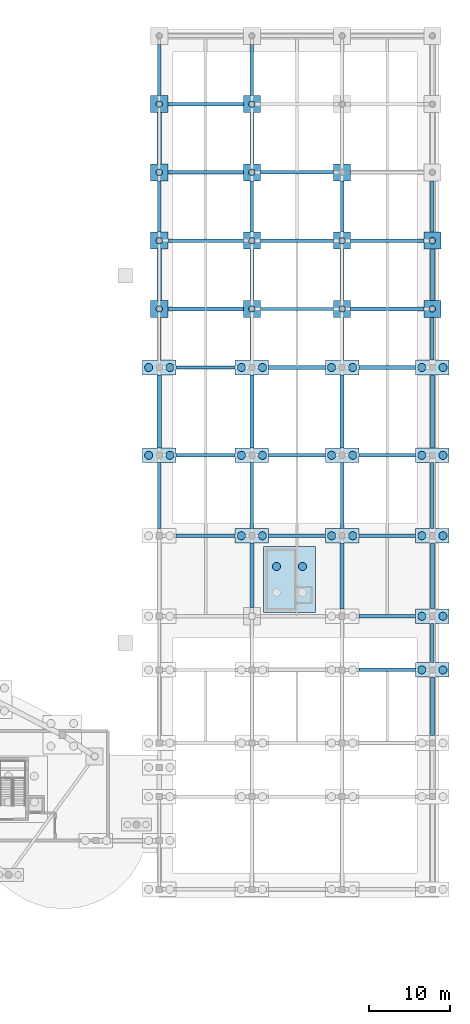
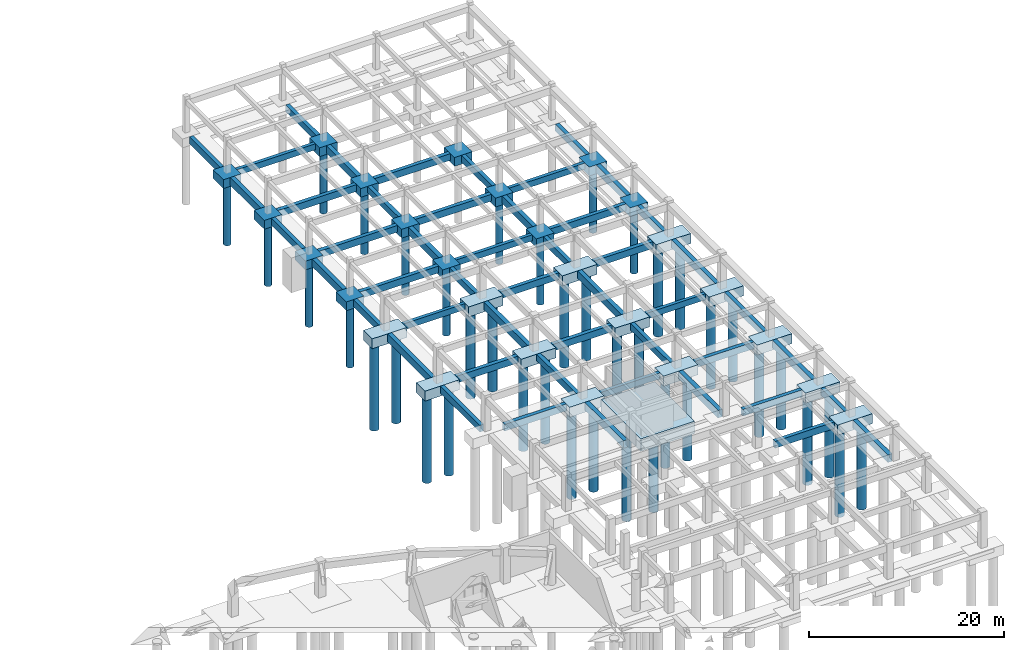
# One storey, part 6 of 28: 76 footings, 40 piles.
"""IFC4 building model written with IfcOpenShell, lengths in metres."""

from ifc_helpers import new_model, si_unit, direction, frame, origin, origin_2d, place, context, subcontext, project, spatial, rectangle, circle, extrude, material, layer, layer_set, material_profile, profile_set, type_object, element, save


model = new_model("IFC4")

# Units and contexts
model_context = context("Model", 3, precision=1e-05, world=origin(), true_north=direction((0.0, 1.0)))
body_context = subcontext(model_context, "Body", "Model", "MODEL_VIEW")
ifc_project = project(units=[si_unit("LENGTHUNIT", "METRE"), si_unit("AREAUNIT", "SQUARE_METRE"), si_unit("VOLUMEUNIT", "CUBIC_METRE"), si_unit("PLANEANGLEUNIT", "RADIAN"), si_unit("MASSUNIT", "GRAM", prefix="KILO")], contexts=[model_context])

# Site, building, storey
site_placement = place(None, origin())
site = spatial("IfcSite", under=ifc_project, at=site_placement, CompositionType="ELEMENT")
building_placement = place(site_placement, origin())
building = spatial("IfcBuilding", under=site, at=building_placement, Name="Miralva Faculty of Natural Sciences", CompositionType="ELEMENT")
storey_placement = place(building_placement, frame((0.0, 0.0, -4.5)))
storey = spatial("IfcBuildingStorey", under=building, at=storey_placement, Name="B1", CompositionType="ELEMENT", Elevation=-4.5)

# Footings
ifc_material_1 = material(Name="Concrete C35/45", Category="concrete")
ifc_layer_1 = layer(ifc_material_1, 1.10009765625, Name="CAP-PC01")
ifc_layer_set_1 = layer_set([ifc_layer_1], Name="Concrete C35/45")
footing_type_1 = type_object("IfcFootingType", Name="CAP-PC01", PredefinedType="PILE_CAP", material=ifc_layer_set_1)
for number, where, z_axis, x_axis, name in (
    (1, (133.800048828125, 83.39990234375, -1.10009765625), (0.0, 0.0, 1.0), (1.0, 0.0, 0.0), "Pile cap CS-V2B-16J"),
    (2, (133.800048828125, 91.800048828125, -1.10009765625), (0.0, 0.0, 1.0), (1.0, 0.0, 0.0), "Pile cap CS-V2B-16K"),
    (3, (133.800048828125, 100.199951171875, -1.10009765625), (0.0, 0.0, 1.0), (1.0, 0.0, 0.0), "Pile cap CS-V2B-16L"),
    (4, (133.800048828125, 108.60009765625, -1.10009765625), (0.0, 0.0, 1.0), (1.0, 0.0, 0.0), "Pile cap CS-V2B-16M"),
    (5, (145.199951171875, 83.39990234375, -1.10009765625), (0.0, 0.0, 1.0), (1.0, 0.0, 0.0), "Pile cap CS-V2B-17J"),
    (6, (145.199951171875, 91.800048828125, -1.10009765625), (0.0, 0.0, 1.0), (1.0, 0.0, 0.0), "Pile cap CS-V2B-17K"),
    (7, (145.199951171875, 100.199951171875, -1.10009765625), (0.0, 0.0, 1.0), (1.0, 0.0, 0.0), "Pile cap CS-V2B-17L"),
    (8, (145.199951171875, 108.60009765625, -1.10009765625), (0.0, 0.0, 1.0), (1.0, 0.0, 0.0), "Pile cap CS-V2B-17M"),
    (9, (156.300048828125, 83.39990234375, -1.10009765625), (0.0, 0.0, 1.0), (1.0, 0.0, 0.0), "Pile cap CS-V2B-18J"),
    (10, (156.300048828125, 91.800048828125, -1.10009765625), (0.0, 0.0, 1.0), (1.0, 0.0, 0.0), "Pile cap CS-V2B-18K"),
    (11, (156.300048828125, 100.199951171875, -1.10009765625), (0.0, 0.0, 1.0), (1.0, 0.0, 0.0), "Pile cap CS-V2B-18L"),
    (12, (167.39990234375, 83.39990234375, -1.10009765625), (0.0, 0.0, 1.0), (1.0, 0.0, 0.0), "Pile cap CS-V2B-19J"),
    (13, (167.39990234375, 91.800048828125, -1.10009765625), (0.0, 0.0, 1.0), (1.0, 0.0, 0.0), "Pile cap CS-V2B-19K"),
):
    element("IfcFooting", number, at=place(storey_placement, frame(where, z_axis=z_axis, x_axis=x_axis)), inside=storey, type_object=footing_type_1, Name=name, PredefinedType="PILE_CAP", context=body_context, shape_type="SweptSolid", body=[
        extrude(rectangle(XDim=2.10009765625, YDim=2.10009765625, at=origin_2d()), origin(), (0.0, 0.0, 1.0), 1.10009765625),
    ])
ifc_layer_2 = layer(ifc_material_1, 1.25, Name="CAP-PC04")
ifc_layer_set_2 = layer_set([ifc_layer_2], Name="Concrete C35/45")
footing_type_2 = type_object("IfcFootingType", Name="CAP-PC04", PredefinedType="PILE_CAP", material=ifc_layer_set_2)
for number, where, z_axis, x_axis, name in (
    (14, (133.800048828125, 65.39990234375, -1.25), (0.0, 0.0, 1.0), (1.0, 0.0, 0.0), "Pile cap CS-V2C-16H"),
    (15, (133.800048828125, 76.199951171875, -1.25), (0.0, 0.0, 1.0), (1.0, 0.0, 0.0), "Pile cap CS-V2C-16I"),
    (16, (145.199951171875, 55.5, -1.25), (0.0, 0.0, 1.0), (1.0, 0.0, 0.0), "Pile cap CS-V2C-17G"),
    (17, (145.199951171875, 65.39990234375, -1.25), (0.0, 0.0, 1.0), (1.0, 0.0, 0.0), "Pile cap CS-V2C-17H"),
    (18, (145.199951171875, 76.199951171875, -1.25), (0.0, 0.0, 1.0), (1.0, 0.0, 0.0), "Pile cap CS-V2C-17I"),
    (19, (156.300048828125, 55.5, -1.25), (0.0, 0.0, 1.0), (1.0, 0.0, 0.0), "Pile cap CS-V2C-18G"),
    (20, (156.300048828125, 65.39990234375, -1.25), (0.0, 0.0, 1.0), (1.0, 0.0, 0.0), "Pile cap CS-V2C-18H"),
    (21, (156.300048828125, 76.199951171875, -1.25), (0.0, 0.0, 1.0), (1.0, 0.0, 0.0), "Pile cap CS-V2C-18I"),
    (22, (167.39990234375, 39.0, -1.25), (0.0, 0.0, 1.0), (1.0, 0.0, 0.0), "Pile cap CS-V2C-19E"),
    (23, (167.39990234375, 45.60009765625, -1.25), (0.0, 0.0, 1.0), (1.0, 0.0, 0.0), "Pile cap CS-V2C-19F"),
    (24, (167.39990234375, 55.5, -1.25), (0.0, 0.0, 1.0), (1.0, 0.0, 0.0), "Pile cap CS-V2C-19G"),
    (25, (167.39990234375, 65.39990234375, -1.25), (0.0, 0.0, 1.0), (1.0, 0.0, 0.0), "Pile cap CS-V2C-19H"),
    (26, (167.39990234375, 76.199951171875, -1.25), (0.0, 0.0, 1.0), (1.0, 0.0, 0.0), "Pile cap CS-V2C-19I"),
):
    element("IfcFooting", number, at=place(storey_placement, frame(where, z_axis=z_axis, x_axis=x_axis)), inside=storey, type_object=footing_type_2, Name=name, PredefinedType="PILE_CAP", context=body_context, shape_type="SweptSolid", body=[
        extrude(rectangle(XDim=4.10009765625, YDim=1.800048828125, at=origin_2d()), origin(), (0.0, 0.0, 1.0), 1.25),
    ])
ifc_material_2 = material(Name="Concrete C40/50", Category="concrete")
ifc_layer_3 = layer(ifc_material_2, 1.550048828125, Name="CAP-PC08-C4")
ifc_layer_set_3 = layer_set([ifc_layer_3], Name="Concrete C40/50")
footing_type_3 = type_object("IfcFootingType", Name="CAP-PC08-C4", PredefinedType="PILE_CAP", material=ifc_layer_set_3)
footing_1_placement = place(storey_placement, frame((149.824951171875, 50.125, -1.5498046875), z_axis=(0.0, 0.0, 1.0), x_axis=(1.0, 0.0, 0.0)))
element("IfcFooting", 27, at=footing_1_placement, inside=storey, type_object=footing_type_3, Name="Core C4 pile cap", PredefinedType="PILE_CAP", context=body_context, shape_type="SweptSolid", body=[
    extrude(rectangle(XDim=6.35009765625, YDim=8.14990234375, at=origin_2d()), origin(), (0.0, 0.0, 1.0), 1.550048828125),
])

# Piles
ifc_material_profile_1 = material_profile(ifc_material_1, circle(Radius=0.5, at=origin_2d()), Name="BORED PILE 1000")
ifc_profile_set_1 = profile_set([ifc_material_profile_1], Name="Concrete C35/45")
pile_type_1 = type_object("IfcPileType", Name="PILE-P1000", PredefinedType="BORED", material=ifc_profile_set_1)
for number, where, z_axis, x_axis, name in (
    (28, (148.22509765625, 51.72509765625, -1.39990234375), (0.0, 0.0, -1.0), (1.0, 0.0, 0.0), "Core C4 bored pile 3"),
    (29, (151.425048828125, 51.72509765625, -1.39990234375), (0.0, 0.0, -1.0), (1.0, 0.0, 0.0), "Core C4 bored pile 4"),
):
    element("IfcPile", number, at=place(storey_placement, frame(where, z_axis=z_axis, x_axis=x_axis)), inside=storey, type_object=pile_type_1, Name=name, PredefinedType="BORED", context=body_context, shape_type="SweptSolid", body=[
        extrude(circle(Radius=0.5, at=origin_2d()), origin(), (0.0, 0.0, 1.0), 12.60009765625),
    ])
for number, where, z_axis, x_axis, name in (
    (30, (132.5, 65.39990234375, -1.10009765625), (0.0, 0.0, -1.0), (1.0, 0.0, 0.0), "Bored pile CS-V2C-16H-1"),
    (31, (135.10009765625, 65.39990234375, -1.10009765625), (0.0, 0.0, -1.0), (1.0, 0.0, 0.0), "Bored pile CS-V2C-16H-2"),
    (32, (132.5, 76.199951171875, -1.10009765625), (0.0, 0.0, -1.0), (1.0, 0.0, 0.0), "Bored pile CS-V2C-16I-1"),
    (33, (135.10009765625, 76.199951171875, -1.10009765625), (0.0, 0.0, -1.0), (1.0, 0.0, 0.0), "Bored pile CS-V2C-16I-2"),
    (34, (143.89990234375, 55.5, -1.10009765625), (0.0, 0.0, -1.0), (1.0, 0.0, 0.0), "Bored pile CS-V2C-17G-1"),
    (35, (146.5, 55.5, -1.10009765625), (0.0, 0.0, -1.0), (1.0, 0.0, 0.0), "Bored pile CS-V2C-17G-2"),
    (36, (143.89990234375, 65.39990234375, -1.10009765625), (0.0, 0.0, -1.0), (1.0, 0.0, 0.0), "Bored pile CS-V2C-17H-1"),
    (37, (146.5, 65.39990234375, -1.10009765625), (0.0, 0.0, -1.0), (1.0, 0.0, 0.0), "Bored pile CS-V2C-17H-2"),
    (38, (143.89990234375, 76.199951171875, -1.10009765625), (0.0, 0.0, -1.0), (1.0, 0.0, 0.0), "Bored pile CS-V2C-17I-1"),
    (39, (146.5, 76.199951171875, -1.10009765625), (0.0, 0.0, -1.0), (1.0, 0.0, 0.0), "Bored pile CS-V2C-17I-2"),
    (40, (155.0, 55.5, -1.10009765625), (0.0, 0.0, -1.0), (1.0, 0.0, 0.0), "Bored pile CS-V2C-18G-1"),
    (41, (157.60009765625, 55.5, -1.10009765625), (0.0, 0.0, -1.0), (1.0, 0.0, 0.0), "Bored pile CS-V2C-18G-2"),
    (42, (155.0, 65.39990234375, -1.10009765625), (0.0, 0.0, -1.0), (1.0, 0.0, 0.0), "Bored pile CS-V2C-18H-1"),
    (43, (157.60009765625, 65.39990234375, -1.10009765625), (0.0, 0.0, -1.0), (1.0, 0.0, 0.0), "Bored pile CS-V2C-18H-2"),
    (44, (155.0, 76.199951171875, -1.10009765625), (0.0, 0.0, -1.0), (1.0, 0.0, 0.0), "Bored pile CS-V2C-18I-1"),
    (45, (157.60009765625, 76.199951171875, -1.10009765625), (0.0, 0.0, -1.0), (1.0, 0.0, 0.0), "Bored pile CS-V2C-18I-2"),
    (46, (166.10009765625, 39.0, -1.10009765625), (0.0, 0.0, -1.0), (1.0, 0.0, 0.0), "Bored pile CS-V2C-19E-1"),
    (47, (168.699951171875, 39.0, -1.10009765625), (0.0, 0.0, -1.0), (1.0, 0.0, 0.0), "Bored pile CS-V2C-19E-2"),
    (48, (166.10009765625, 45.60009765625, -1.10009765625), (0.0, 0.0, -1.0), (1.0, 0.0, 0.0), "Bored pile CS-V2C-19F-1"),
    (49, (168.699951171875, 45.60009765625, -1.10009765625), (0.0, 0.0, -1.0), (1.0, 0.0, 0.0), "Bored pile CS-V2C-19F-2"),
    (50, (166.10009765625, 55.5, -1.10009765625), (0.0, 0.0, -1.0), (1.0, 0.0, 0.0), "Bored pile CS-V2C-19G-1"),
    (51, (168.699951171875, 55.5, -1.10009765625), (0.0, 0.0, -1.0), (1.0, 0.0, 0.0), "Bored pile CS-V2C-19G-2"),
    (52, (166.10009765625, 65.39990234375, -1.10009765625), (0.0, 0.0, -1.0), (1.0, 0.0, 0.0), "Bored pile CS-V2C-19H-1"),
    (53, (168.699951171875, 65.39990234375, -1.10009765625), (0.0, 0.0, -1.0), (1.0, 0.0, 0.0), "Bored pile CS-V2C-19H-2"),
    (54, (166.10009765625, 76.199951171875, -1.10009765625), (0.0, 0.0, -1.0), (1.0, 0.0, 0.0), "Bored pile CS-V2C-19I-1"),
    (55, (168.699951171875, 76.199951171875, -1.10009765625), (0.0, 0.0, -1.0), (1.0, 0.0, 0.0), "Bored pile CS-V2C-19I-2"),
):
    element("IfcPile", number, at=place(storey_placement, frame(where, z_axis=z_axis, x_axis=x_axis)), inside=storey, type_object=pile_type_1, Name=name, PredefinedType="BORED", context=body_context, shape_type="SweptSolid", body=[
        extrude(circle(Radius=0.5, at=origin_2d()), origin(), (0.0, 0.0, 1.0), 10.89990234375),
    ])
ifc_material_profile_2 = material_profile(ifc_material_1, circle(Radius=0.39990234375, at=origin_2d()), Name="BORED PILE 800")
ifc_profile_set_2 = profile_set([ifc_material_profile_2], Name="Concrete C35/45")
pile_type_2 = type_object("IfcPileType", Name="PILE-P800", PredefinedType="BORED", material=ifc_profile_set_2)
for number, where, z_axis, x_axis, name in (
    (56, (133.800048828125, 83.39990234375, -0.949951171875), (0.0, 0.0, -1.0), (1.0, 0.0, 0.0), "Bored pile CS-V2B-16J-1"),
    (57, (133.800048828125, 91.800048828125, -0.949951171875), (0.0, 0.0, -1.0), (1.0, 0.0, 0.0), "Bored pile CS-V2B-16K-1"),
    (58, (133.800048828125, 100.199951171875, -0.949951171875), (0.0, 0.0, -1.0), (1.0, 0.0, 0.0), "Bored pile CS-V2B-16L-1"),
    (59, (133.800048828125, 108.60009765625, -0.949951171875), (0.0, 0.0, -1.0), (1.0, 0.0, 0.0), "Bored pile CS-V2B-16M-1"),
    (60, (145.199951171875, 83.39990234375, -0.949951171875), (0.0, 0.0, -1.0), (1.0, 0.0, 0.0), "Bored pile CS-V2B-17J-1"),
    (61, (145.199951171875, 91.800048828125, -0.949951171875), (0.0, 0.0, -1.0), (1.0, 0.0, 0.0), "Bored pile CS-V2B-17K-1"),
    (62, (145.199951171875, 100.199951171875, -0.949951171875), (0.0, 0.0, -1.0), (1.0, 0.0, 0.0), "Bored pile CS-V2B-17L-1"),
    (63, (145.199951171875, 108.60009765625, -0.949951171875), (0.0, 0.0, -1.0), (1.0, 0.0, 0.0), "Bored pile CS-V2B-17M-1"),
    (64, (156.300048828125, 83.39990234375, -0.949951171875), (0.0, 0.0, -1.0), (1.0, 0.0, 0.0), "Bored pile CS-V2B-18J-1"),
    (65, (156.300048828125, 91.800048828125, -0.949951171875), (0.0, 0.0, -1.0), (1.0, 0.0, 0.0), "Bored pile CS-V2B-18K-1"),
    (66, (167.39990234375, 83.39990234375, -0.949951171875), (0.0, 0.0, -1.0), (1.0, 0.0, 0.0), "Bored pile CS-V2B-19J-1"),
    (67, (167.39990234375, 91.800048828125, -0.949951171875), (0.0, 0.0, -1.0), (1.0, 0.0, 0.0), "Bored pile CS-V2B-19K-1"),
):
    element("IfcPile", number, at=place(storey_placement, frame(where, z_axis=z_axis, x_axis=x_axis)), inside=storey, type_object=pile_type_2, Name=name, PredefinedType="BORED", context=body_context, shape_type="SweptSolid", body=[
        extrude(circle(Radius=0.39990234375, at=origin_2d()), origin(), (0.0, 0.0, 1.0), 8.050048828125),
    ])

# Footings
ifc_material_profile_3 = material_profile(ifc_material_1, rectangle(XDim=0.449951171875, YDim=0.85009765625, at=origin_2d()), Name="RC 450x850")
ifc_profile_set_3 = profile_set([ifc_material_profile_3], Name="Concrete C35/45")
footing_type_4 = type_object("IfcFootingType", Name="TB-01", PredefinedType="FOOTING_BEAM", material=ifc_profile_set_3)
footing_2_placement = place(storey_placement, frame((133.800048828125, 56.39990234375, -0.425048828125), z_axis=(0.0, 1.0, 0.0), x_axis=(-1.0, 0.0, 0.0)))
element("IfcFooting", 68, at=footing_2_placement, inside=storey, type_object=footing_type_4, Name="Foundation tie beam NS 70", PredefinedType="FOOTING_BEAM", context=body_context, shape_type="SweptSolid", body=[
    extrude(rectangle(XDim=0.449951171875, YDim=0.85009765625, at=origin_2d()), origin(), (0.0, 0.0, 1.0), 8.10009765625),
])
footing_3_placement = place(storey_placement, frame((133.800048828125, 77.10009765625, -0.425048828125), z_axis=(0.0, 1.0, 0.0), x_axis=(-1.0, 0.0, 0.0)))
element("IfcFooting", 69, at=footing_3_placement, inside=storey, type_object=footing_type_4, Name="Foundation tie beam NS 72", PredefinedType="FOOTING_BEAM", context=body_context, shape_type="SweptSolid", body=[
    extrude(rectangle(XDim=0.449951171875, YDim=0.85009765625, at=origin_2d()), origin(), (0.0, 0.0, 1.0), 5.25),
])
footing_4_placement = place(storey_placement, frame((133.800048828125, 92.85009765625, -0.425048828125), z_axis=(0.0, 1.0, 0.0), x_axis=(-1.0, 0.0, 0.0)))
element("IfcFooting", 70, at=footing_4_placement, inside=storey, type_object=footing_type_4, Name="Foundation tie beam NS 74", PredefinedType="FOOTING_BEAM", context=body_context, shape_type="SweptSolid", body=[
    extrude(rectangle(XDim=0.449951171875, YDim=0.85009765625, at=origin_2d()), origin(), (0.0, 0.0, 1.0), 6.2998046875),
])
footing_5_placement = place(storey_placement, frame((133.800048828125, 109.64990234375, -0.425048828125), z_axis=(0.0, 1.0, 0.0), x_axis=(-1.0, 0.0, 0.0)))
element("IfcFooting", 71, at=footing_5_placement, inside=storey, type_object=footing_type_4, Name="Foundation tie beam NS 76", PredefinedType="FOOTING_BEAM", context=body_context, shape_type="SweptSolid", body=[
    extrude(rectangle(XDim=0.449951171875, YDim=0.85009765625, at=origin_2d()), origin(), (0.0, 0.0, 1.0), 6.300048828125),
])
footing_6_placement = place(storey_placement, frame((145.199951171875, 56.39990234375, -0.425048828125), z_axis=(0.0, 1.0, 0.0), x_axis=(-1.0, 0.0, 0.0)))
element("IfcFooting", 72, at=footing_6_placement, inside=storey, type_object=footing_type_4, Name="Foundation tie beam NS 82", PredefinedType="FOOTING_BEAM", context=body_context, shape_type="SweptSolid", body=[
    extrude(rectangle(XDim=0.449951171875, YDim=0.85009765625, at=origin_2d()), origin(), (0.0, 0.0, 1.0), 8.10009765625),
])
footing_7_placement = place(storey_placement, frame((145.199951171875, 77.10009765625, -0.425048828125), z_axis=(0.0, 1.0, 0.0), x_axis=(-1.0, 0.0, 0.0)))
element("IfcFooting", 73, at=footing_7_placement, inside=storey, type_object=footing_type_4, Name="Foundation tie beam NS 84", PredefinedType="FOOTING_BEAM", context=body_context, shape_type="SweptSolid", body=[
    extrude(rectangle(XDim=0.449951171875, YDim=0.85009765625, at=origin_2d()), origin(), (0.0, 0.0, 1.0), 5.25),
])
footing_8_placement = place(storey_placement, frame((145.199951171875, 92.85009765625, -0.425048828125), z_axis=(0.0, 1.0, 0.0), x_axis=(-1.0, 0.0, 0.0)))
element("IfcFooting", 74, at=footing_8_placement, inside=storey, type_object=footing_type_4, Name="Foundation tie beam NS 86", PredefinedType="FOOTING_BEAM", context=body_context, shape_type="SweptSolid", body=[
    extrude(rectangle(XDim=0.449951171875, YDim=0.85009765625, at=origin_2d()), origin(), (0.0, 0.0, 1.0), 6.2998046875),
])
footing_9_placement = place(storey_placement, frame((145.199951171875, 109.64990234375, -0.425048828125), z_axis=(0.0, 1.0, 0.0), x_axis=(-1.0, 0.0, 0.0)))
element("IfcFooting", 75, at=footing_9_placement, inside=storey, type_object=footing_type_4, Name="Foundation tie beam NS 88", PredefinedType="FOOTING_BEAM", context=body_context, shape_type="SweptSolid", body=[
    extrude(rectangle(XDim=0.449951171875, YDim=0.85009765625, at=origin_2d()), origin(), (0.0, 0.0, 1.0), 6.300048828125),
])
footing_10_placement = place(storey_placement, frame((156.300048828125, 56.39990234375, -0.425048828125), z_axis=(0.0, 1.0, 0.0), x_axis=(-1.0, 0.0, 0.0)))
element("IfcFooting", 76, at=footing_10_placement, inside=storey, type_object=footing_type_4, Name="Foundation tie beam NS 94", PredefinedType="FOOTING_BEAM", context=body_context, shape_type="SweptSolid", body=[
    extrude(rectangle(XDim=0.449951171875, YDim=0.85009765625, at=origin_2d()), origin(), (0.0, 0.0, 1.0), 8.10009765625),
])
footing_11_placement = place(storey_placement, frame((156.300048828125, 77.10009765625, -0.425048828125), z_axis=(0.0, 1.0, 0.0), x_axis=(-1.0, 0.0, 0.0)))
element("IfcFooting", 77, at=footing_11_placement, inside=storey, type_object=footing_type_4, Name="Foundation tie beam NS 96", PredefinedType="FOOTING_BEAM", context=body_context, shape_type="SweptSolid", body=[
    extrude(rectangle(XDim=0.449951171875, YDim=0.85009765625, at=origin_2d()), origin(), (0.0, 0.0, 1.0), 5.25),
])
footing_12_placement = place(storey_placement, frame((156.300048828125, 92.85009765625, -0.425048828125), z_axis=(0.0, 1.0, 0.0), x_axis=(-1.0, 0.0, 0.0)))
element("IfcFooting", 78, at=footing_12_placement, inside=storey, type_object=footing_type_4, Name="Foundation tie beam NS 98", PredefinedType="FOOTING_BEAM", context=body_context, shape_type="SweptSolid", body=[
    extrude(rectangle(XDim=0.449951171875, YDim=0.85009765625, at=origin_2d()), origin(), (0.0, 0.0, 1.0), 6.2998046875),
])
footing_13_placement = place(storey_placement, frame((167.39990234375, 39.89990234375, -0.425048828125), z_axis=(0.0, 1.0, 0.0), x_axis=(-1.0, 0.0, 0.0)))
element("IfcFooting", 79, at=footing_13_placement, inside=storey, type_object=footing_type_4, Name="Foundation tie beam NS 104", PredefinedType="FOOTING_BEAM", context=body_context, shape_type="SweptSolid", body=[
    extrude(rectangle(XDim=0.449951171875, YDim=0.85009765625, at=origin_2d()), origin(), (0.0, 0.0, 1.0), 4.800048828125),
])
footing_14_placement = place(storey_placement, frame((167.39990234375, 56.39990234375, -0.425048828125), z_axis=(0.0, 1.0, 0.0), x_axis=(-1.0, 0.0, 0.0)))
element("IfcFooting", 80, at=footing_14_placement, inside=storey, type_object=footing_type_4, Name="Foundation tie beam NS 106", PredefinedType="FOOTING_BEAM", context=body_context, shape_type="SweptSolid", body=[
    extrude(rectangle(XDim=0.449951171875, YDim=0.85009765625, at=origin_2d()), origin(), (0.0, 0.0, 1.0), 8.10009765625),
])
footing_15_placement = place(storey_placement, frame((167.39990234375, 77.10009765625, -0.425048828125), z_axis=(0.0, 1.0, 0.0), x_axis=(-1.0, 0.0, 0.0)))
element("IfcFooting", 81, at=footing_15_placement, inside=storey, type_object=footing_type_4, Name="Foundation tie beam NS 108", PredefinedType="FOOTING_BEAM", context=body_context, shape_type="SweptSolid", body=[
    extrude(rectangle(XDim=0.449951171875, YDim=0.85009765625, at=origin_2d()), origin(), (0.0, 0.0, 1.0), 5.25),
])
footing_16_placement = place(storey_placement, frame((167.39990234375, 92.85009765625, -0.425048828125), z_axis=(0.0, 1.0, 0.0), x_axis=(-1.0, 0.0, 0.0)))
element("IfcFooting", 82, at=footing_16_placement, inside=storey, type_object=footing_type_4, Name="Foundation tie beam NS 110", PredefinedType="FOOTING_BEAM", context=body_context, shape_type="SweptSolid", body=[
    extrude(rectangle(XDim=0.449951171875, YDim=0.85009765625, at=origin_2d()), origin(), (0.0, 0.0, 1.0), 6.2998046875),
])
for number, where, z_axis, x_axis, name in (
    (83, (158.35009765625, 39.0, -0.425048828125), (1.0, 0.0, 0.0), (0.0, 1.0, 0.0), "Foundation tie beam EW 155"),
    (84, (158.35009765625, 45.60009765625, -0.425048828125), (1.0, 0.0, 0.0), (0.0, 1.0, 0.0), "Foundation tie beam EW 161"),
):
    element("IfcFooting", number, at=place(storey_placement, frame(where, z_axis=z_axis, x_axis=x_axis)), inside=storey, type_object=footing_type_4, Name=name, PredefinedType="FOOTING_BEAM", context=body_context, shape_type="SweptSolid", body=[
        extrude(rectangle(XDim=0.449951171875, YDim=0.85009765625, at=origin_2d()), origin(), (0.0, 0.0, 1.0), 7.0),
    ])
footing_17_placement = place(storey_placement, frame((135.85009765625, 55.5, -0.425048828125), z_axis=(1.0, 0.0, 0.0), x_axis=(0.0, 1.0, 0.0)))
element("IfcFooting", 85, at=footing_17_placement, inside=storey, type_object=footing_type_4, Name="Foundation tie beam EW 164", PredefinedType="FOOTING_BEAM", context=body_context, shape_type="SweptSolid", body=[
    extrude(rectangle(XDim=0.449951171875, YDim=0.85009765625, at=origin_2d()), origin(), (0.0, 0.0, 1.0), 7.2998046875),
])
footing_18_placement = place(storey_placement, frame((158.35009765625, 55.5, -0.425048828125), z_axis=(1.0, 0.0, 0.0), x_axis=(0.0, 1.0, 0.0)))
element("IfcFooting", 86, at=footing_18_placement, inside=storey, type_object=footing_type_4, Name="Foundation tie beam EW 166", PredefinedType="FOOTING_BEAM", context=body_context, shape_type="SweptSolid", body=[
    extrude(rectangle(XDim=0.449951171875, YDim=0.85009765625, at=origin_2d()), origin(), (0.0, 0.0, 1.0), 7.0),
])
footing_19_placement = place(storey_placement, frame((135.85009765625, 65.39990234375, -0.425048828125), z_axis=(1.0, 0.0, 0.0), x_axis=(0.0, 1.0, 0.0)))
element("IfcFooting", 87, at=footing_19_placement, inside=storey, type_object=footing_type_4, Name="Foundation tie beam EW 169", PredefinedType="FOOTING_BEAM", context=body_context, shape_type="SweptSolid", body=[
    extrude(rectangle(XDim=0.449951171875, YDim=0.85009765625, at=origin_2d()), origin(), (0.0, 0.0, 1.0), 7.2998046875),
])
for number, where, z_axis, x_axis, name in (
    (88, (147.25, 65.39990234375, -0.425048828125), (1.0, 0.0, 0.0), (0.0, 1.0, 0.0), "Foundation tie beam EW 170"),
    (89, (147.25, 76.199951171875, -0.425048828125), (1.0, 0.0, 0.0), (0.0, 1.0, 0.0), "Foundation tie beam EW 175"),
    (90, (158.35009765625, 76.199951171875, -0.425048828125), (1.0, 0.0, 0.0), (0.0, 1.0, 0.0), "Foundation tie beam EW 176"),
):
    element("IfcFooting", number, at=place(storey_placement, frame(where, z_axis=z_axis, x_axis=x_axis)), inside=storey, type_object=footing_type_4, Name=name, PredefinedType="FOOTING_BEAM", context=body_context, shape_type="SweptSolid", body=[
        extrude(rectangle(XDim=0.449951171875, YDim=0.85009765625, at=origin_2d()), origin(), (0.0, 0.0, 1.0), 7.0),
    ])
footing_20_placement = place(storey_placement, frame((134.85009765625, 83.39990234375, -0.425048828125), z_axis=(1.0, 0.0, 0.0), x_axis=(0.0, 1.0, 0.0)))
element("IfcFooting", 91, at=footing_20_placement, inside=storey, type_object=footing_type_4, Name="Foundation tie beam EW 179", PredefinedType="FOOTING_BEAM", context=body_context, shape_type="SweptSolid", body=[
    extrude(rectangle(XDim=0.449951171875, YDim=0.85009765625, at=origin_2d()), origin(), (0.0, 0.0, 1.0), 9.2998046875),
])
footing_21_placement = place(storey_placement, frame((157.35009765625, 83.39990234375, -0.425048828125), z_axis=(1.0, 0.0, 0.0), x_axis=(0.0, 1.0, 0.0)))
element("IfcFooting", 92, at=footing_21_placement, inside=storey, type_object=footing_type_4, Name="Foundation tie beam EW 181", PredefinedType="FOOTING_BEAM", context=body_context, shape_type="SweptSolid", body=[
    extrude(rectangle(XDim=0.449951171875, YDim=0.85009765625, at=origin_2d()), origin(), (0.0, 0.0, 1.0), 9.0),
])
footing_22_placement = place(storey_placement, frame((134.85009765625, 91.800048828125, -0.425048828125), z_axis=(1.0, 0.0, 0.0), x_axis=(0.0, 1.0, 0.0)))
element("IfcFooting", 93, at=footing_22_placement, inside=storey, type_object=footing_type_4, Name="Foundation tie beam EW 184", PredefinedType="FOOTING_BEAM", context=body_context, shape_type="SweptSolid", body=[
    extrude(rectangle(XDim=0.449951171875, YDim=0.85009765625, at=origin_2d()), origin(), (0.0, 0.0, 1.0), 9.2998046875),
])
footing_23_placement = place(storey_placement, frame((146.25, 91.800048828125, -0.425048828125), z_axis=(1.0, 0.0, 0.0), x_axis=(0.0, 1.0, 0.0)))
element("IfcFooting", 94, at=footing_23_placement, inside=storey, type_object=footing_type_4, Name="Foundation tie beam EW 185", PredefinedType="FOOTING_BEAM", context=body_context, shape_type="SweptSolid", body=[
    extrude(rectangle(XDim=0.449951171875, YDim=0.85009765625, at=origin_2d()), origin(), (0.0, 0.0, 1.0), 9.0),
])
footing_24_placement = place(storey_placement, frame((134.85009765625, 100.199951171875, -0.425048828125), z_axis=(1.0, 0.0, 0.0), x_axis=(0.0, 1.0, 0.0)))
element("IfcFooting", 95, at=footing_24_placement, inside=storey, type_object=footing_type_4, Name="Foundation tie beam EW 196", PredefinedType="FOOTING_BEAM", context=body_context, shape_type="SweptSolid", body=[
    extrude(rectangle(XDim=0.449951171875, YDim=0.85009765625, at=origin_2d()), origin(), (0.0, 0.0, 1.0), 9.2998046875),
])
footing_25_placement = place(storey_placement, frame((146.25, 100.199951171875, -0.425048828125), z_axis=(1.0, 0.0, 0.0), x_axis=(0.0, 1.0, 0.0)))
element("IfcFooting", 96, at=footing_25_placement, inside=storey, type_object=footing_type_4, Name="Foundation tie beam EW 197", PredefinedType="FOOTING_BEAM", context=body_context, shape_type="SweptSolid", body=[
    extrude(rectangle(XDim=0.449951171875, YDim=0.85009765625, at=origin_2d()), origin(), (0.0, 0.0, 1.0), 9.0),
])
ifc_material_profile_4 = material_profile(ifc_material_1, rectangle(XDim=0.5, YDim=0.949951171875, at=origin_2d()), Name="RC 500x950")
ifc_profile_set_4 = profile_set([ifc_material_profile_4], Name="Concrete C35/45")
footing_type_5 = type_object("IfcFootingType", Name="TB-02", PredefinedType="FOOTING_BEAM", material=ifc_profile_set_4)
footing_26_placement = place(storey_placement, frame((133.800048828125, 66.300048828125, -0.47509765625), z_axis=(0.0, 1.0, 0.0), x_axis=(-1.0, 0.0, 0.0)))
element("IfcFooting", 97, at=footing_26_placement, inside=storey, type_object=footing_type_5, Name="Foundation tie beam NS 71", PredefinedType="FOOTING_BEAM", context=body_context, shape_type="SweptSolid", body=[
    extrude(rectangle(XDim=0.5, YDim=0.949951171875, at=origin_2d()), origin(), (0.0, 0.0, 1.0), 9.0),
])
for number, where, z_axis, x_axis, name in (
    (98, (133.800048828125, 84.449951171875, -0.47509765625), (0.0, 1.0, 0.0), (-1.0, 0.0, 0.0), "Foundation tie beam NS 73"),
    (99, (133.800048828125, 101.25, -0.47509765625), (0.0, 1.0, 0.0), (-1.0, 0.0, 0.0), "Foundation tie beam NS 75"),
):
    element("IfcFooting", number, at=place(storey_placement, frame(where, z_axis=z_axis, x_axis=x_axis)), inside=storey, type_object=footing_type_5, Name=name, PredefinedType="FOOTING_BEAM", context=body_context, shape_type="SweptSolid", body=[
        extrude(rectangle(XDim=0.5, YDim=0.949951171875, at=origin_2d()), origin(), (0.0, 0.0, 1.0), 6.300048828125),
    ])
footing_27_placement = place(storey_placement, frame((145.199951171875, 46.64990234375, -0.47509765625), z_axis=(0.0, 1.0, 0.0), x_axis=(-1.0, 0.0, 0.0)))
element("IfcFooting", 100, at=footing_27_placement, inside=storey, type_object=footing_type_5, Name="Foundation tie beam NS 81", PredefinedType="FOOTING_BEAM", context=body_context, shape_type="SweptSolid", body=[
    extrude(rectangle(XDim=0.5, YDim=0.949951171875, at=origin_2d()), origin(), (0.0, 0.0, 1.0), 7.9501953125),
])
footing_28_placement = place(storey_placement, frame((145.199951171875, 66.300048828125, -0.47509765625), z_axis=(0.0, 1.0, 0.0), x_axis=(-1.0, 0.0, 0.0)))
element("IfcFooting", 101, at=footing_28_placement, inside=storey, type_object=footing_type_5, Name="Foundation tie beam NS 83", PredefinedType="FOOTING_BEAM", context=body_context, shape_type="SweptSolid", body=[
    extrude(rectangle(XDim=0.5, YDim=0.949951171875, at=origin_2d()), origin(), (0.0, 0.0, 1.0), 9.0),
])
for number, where, z_axis, x_axis, name in (
    (102, (145.199951171875, 84.449951171875, -0.47509765625), (0.0, 1.0, 0.0), (-1.0, 0.0, 0.0), "Foundation tie beam NS 85"),
    (103, (145.199951171875, 101.25, -0.47509765625), (0.0, 1.0, 0.0), (-1.0, 0.0, 0.0), "Foundation tie beam NS 87"),
):
    element("IfcFooting", number, at=place(storey_placement, frame(where, z_axis=z_axis, x_axis=x_axis)), inside=storey, type_object=footing_type_5, Name=name, PredefinedType="FOOTING_BEAM", context=body_context, shape_type="SweptSolid", body=[
        extrude(rectangle(XDim=0.5, YDim=0.949951171875, at=origin_2d()), origin(), (0.0, 0.0, 1.0), 6.300048828125),
    ])
footing_29_placement = place(storey_placement, frame((156.300048828125, 46.5, -0.47509765625), z_axis=(0.0, 1.0, 0.0), x_axis=(-1.0, 0.0, 0.0)))
element("IfcFooting", 104, at=footing_29_placement, inside=storey, type_object=footing_type_5, Name="Foundation tie beam NS 93", PredefinedType="FOOTING_BEAM", context=body_context, shape_type="SweptSolid", body=[
    extrude(rectangle(XDim=0.5, YDim=0.949951171875, at=origin_2d()), origin(), (0.0, 0.0, 1.0), 8.10009765625),
])
footing_30_placement = place(storey_placement, frame((156.300048828125, 66.300048828125, -0.47509765625), z_axis=(0.0, 1.0, 0.0), x_axis=(-1.0, 0.0, 0.0)))
element("IfcFooting", 105, at=footing_30_placement, inside=storey, type_object=footing_type_5, Name="Foundation tie beam NS 95", PredefinedType="FOOTING_BEAM", context=body_context, shape_type="SweptSolid", body=[
    extrude(rectangle(XDim=0.5, YDim=0.949951171875, at=origin_2d()), origin(), (0.0, 0.0, 1.0), 9.0),
])
footing_31_placement = place(storey_placement, frame((156.300048828125, 84.449951171875, -0.47509765625), z_axis=(0.0, 1.0, 0.0), x_axis=(-1.0, 0.0, 0.0)))
element("IfcFooting", 106, at=footing_31_placement, inside=storey, type_object=footing_type_5, Name="Foundation tie beam NS 97", PredefinedType="FOOTING_BEAM", context=body_context, shape_type="SweptSolid", body=[
    extrude(rectangle(XDim=0.5, YDim=0.949951171875, at=origin_2d()), origin(), (0.0, 0.0, 1.0), 6.300048828125),
])
footing_32_placement = place(storey_placement, frame((167.39990234375, 30.89990234375, -0.47509765625), z_axis=(0.0, 1.0, 0.0), x_axis=(-1.0, 0.0, 0.0)))
element("IfcFooting", 107, at=footing_32_placement, inside=storey, type_object=footing_type_5, Name="Foundation tie beam NS 103", PredefinedType="FOOTING_BEAM", context=body_context, shape_type="SweptSolid", body=[
    extrude(rectangle(XDim=0.5, YDim=0.949951171875, at=origin_2d()), origin(), (0.0, 0.0, 1.0), 7.2001953125),
])
footing_33_placement = place(storey_placement, frame((167.39990234375, 46.5, -0.47509765625), z_axis=(0.0, 1.0, 0.0), x_axis=(-1.0, 0.0, 0.0)))
element("IfcFooting", 108, at=footing_33_placement, inside=storey, type_object=footing_type_5, Name="Foundation tie beam NS 105", PredefinedType="FOOTING_BEAM", context=body_context, shape_type="SweptSolid", body=[
    extrude(rectangle(XDim=0.5, YDim=0.949951171875, at=origin_2d()), origin(), (0.0, 0.0, 1.0), 8.10009765625),
])
footing_34_placement = place(storey_placement, frame((167.39990234375, 66.300048828125, -0.47509765625), z_axis=(0.0, 1.0, 0.0), x_axis=(-1.0, 0.0, 0.0)))
element("IfcFooting", 109, at=footing_34_placement, inside=storey, type_object=footing_type_5, Name="Foundation tie beam NS 107", PredefinedType="FOOTING_BEAM", context=body_context, shape_type="SweptSolid", body=[
    extrude(rectangle(XDim=0.5, YDim=0.949951171875, at=origin_2d()), origin(), (0.0, 0.0, 1.0), 9.0),
])
footing_35_placement = place(storey_placement, frame((167.39990234375, 84.449951171875, -0.47509765625), z_axis=(0.0, 1.0, 0.0), x_axis=(-1.0, 0.0, 0.0)))
element("IfcFooting", 110, at=footing_35_placement, inside=storey, type_object=footing_type_5, Name="Foundation tie beam NS 109", PredefinedType="FOOTING_BEAM", context=body_context, shape_type="SweptSolid", body=[
    extrude(rectangle(XDim=0.5, YDim=0.949951171875, at=origin_2d()), origin(), (0.0, 0.0, 1.0), 6.300048828125),
])
ifc_material_profile_5 = material_profile(ifc_material_1, rectangle(XDim=0.39990234375, YDim=0.75, at=origin_2d()), Name="RC 400x750")
ifc_profile_set_5 = profile_set([ifc_material_profile_5], Name="Concrete C35/45")
footing_type_6 = type_object("IfcFootingType", Name="TB-04", PredefinedType="FOOTING_BEAM", material=ifc_profile_set_5)
for number, where, z_axis, x_axis, name in (
    (111, (147.25, 55.5, -0.375), (1.0, 0.0, 0.0), (0.0, 1.0, 0.0), "Foundation tie beam EW 165"),
    (112, (158.35009765625, 65.39990234375, -0.375), (1.0, 0.0, 0.0), (0.0, 1.0, 0.0), "Foundation tie beam EW 171"),
):
    element("IfcFooting", number, at=place(storey_placement, frame(where, z_axis=z_axis, x_axis=x_axis)), inside=storey, type_object=footing_type_6, Name=name, PredefinedType="FOOTING_BEAM", context=body_context, shape_type="SweptSolid", body=[
        extrude(rectangle(XDim=0.39990234375, YDim=0.75, at=origin_2d()), origin(), (0.0, 0.0, 1.0), 7.0),
    ])
footing_36_placement = place(storey_placement, frame((135.85009765625, 76.199951171875, -0.375), z_axis=(1.0, 0.0, 0.0), x_axis=(0.0, 1.0, 0.0)))
element("IfcFooting", 113, at=footing_36_placement, inside=storey, type_object=footing_type_6, Name="Foundation tie beam EW 174", PredefinedType="FOOTING_BEAM", context=body_context, shape_type="SweptSolid", body=[
    extrude(rectangle(XDim=0.39990234375, YDim=0.75, at=origin_2d()), origin(), (0.0, 0.0, 1.0), 7.2998046875),
])
for number, where, z_axis, x_axis, name in (
    (114, (146.25, 83.39990234375, -0.375), (1.0, 0.0, 0.0), (0.0, 1.0, 0.0), "Foundation tie beam EW 180"),
    (115, (157.35009765625, 91.800048828125, -0.375), (1.0, 0.0, 0.0), (0.0, 1.0, 0.0), "Foundation tie beam EW 186"),
):
    element("IfcFooting", number, at=place(storey_placement, frame(where, z_axis=z_axis, x_axis=x_axis)), inside=storey, type_object=footing_type_6, Name=name, PredefinedType="FOOTING_BEAM", context=body_context, shape_type="SweptSolid", body=[
        extrude(rectangle(XDim=0.39990234375, YDim=0.75, at=origin_2d()), origin(), (0.0, 0.0, 1.0), 9.0),
    ])
footing_37_placement = place(storey_placement, frame((134.85009765625, 108.60009765625, -0.375), z_axis=(1.0, 0.0, 0.0), x_axis=(0.0, 1.0, 0.0)))
element("IfcFooting", 116, at=footing_37_placement, inside=storey, type_object=footing_type_6, Name="Foundation tie beam EW 207", PredefinedType="FOOTING_BEAM", context=body_context, shape_type="SweptSolid", body=[
    extrude(rectangle(XDim=0.39990234375, YDim=0.75, at=origin_2d()), origin(), (0.0, 0.0, 1.0), 9.2998046875),
])

save(model, "model.ifc")
